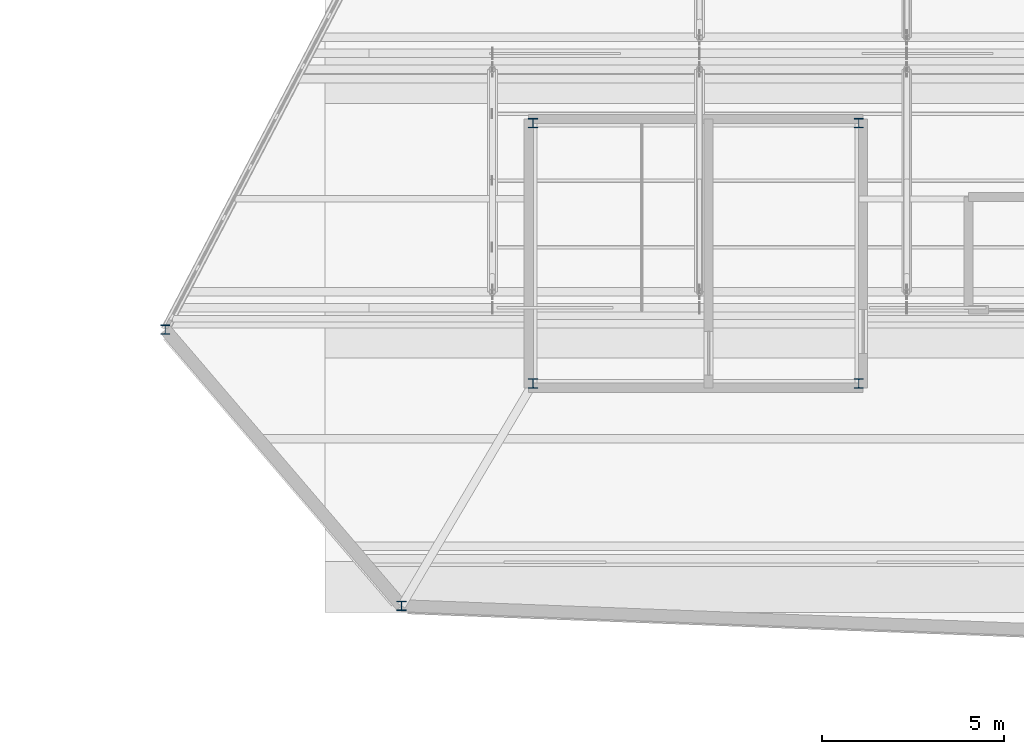
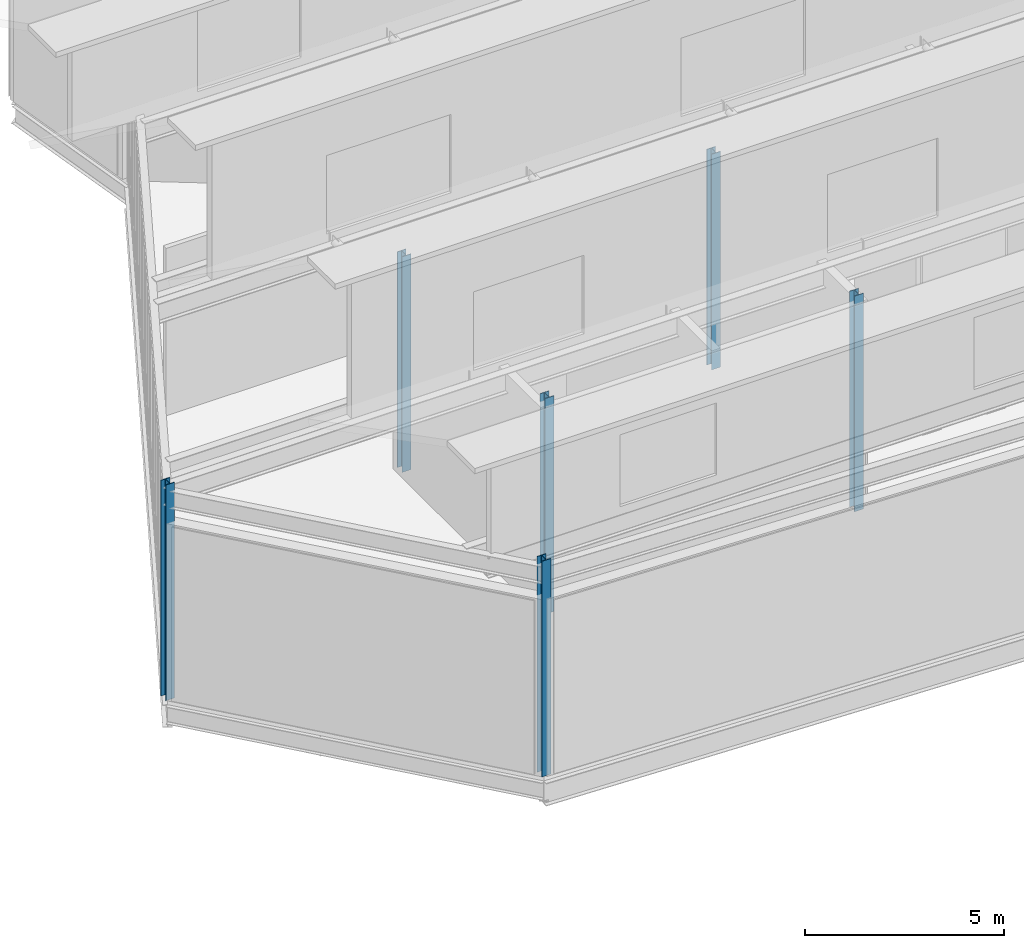
# One storey, part 1 of 55: 6 columns.
"""IFC4 building model written with IfcOpenShell, lengths in metres."""

from ifc_helpers import new_model, si_unit, direction, frame, origin, origin_2d, place, context, subcontext, project, spatial, i_section, extrude, material, material_profile, profile_set, type_object, element, save


model = new_model("IFC4")

# Units and contexts
model_context = context("Model", 3, precision=1e-05, world=origin(), true_north=direction((0.0, 1.0)))
body_context = subcontext(model_context, "Body", "Model", "MODEL_VIEW")
ifc_project = project(units=[si_unit("LENGTHUNIT", "METRE"), si_unit("AREAUNIT", "SQUARE_METRE"), si_unit("VOLUMEUNIT", "CUBIC_METRE"), si_unit("PLANEANGLEUNIT", "RADIAN"), si_unit("MASSUNIT", "GRAM", prefix="KILO")], contexts=[model_context])

# Site, building, storey
site_placement = place(None, origin())
site = spatial("IfcSite", under=ifc_project, at=site_placement, CompositionType="ELEMENT")
building_placement = place(site_placement, origin())
building = spatial("IfcBuilding", under=site, at=building_placement, Name="Tameran Prism Museum", CompositionType="ELEMENT")
storey_placement = place(building_placement, frame((0.0, 0.0, 28.800048828125)))
storey = spatial("IfcBuildingStorey", under=building, at=storey_placement, Name="L05", CompositionType="ELEMENT", Elevation=28.800048828125)

# Columns
ifc_material = material(Name="Steel Grade 300PLUS (300 MPa)", Category="steel")
ifc_material_profile = material_profile(ifc_material, i_section(OverallWidth=0.256103515625, OverallDepth=0.260009765625, WebThickness=0.010498046875, FlangeThickness=0.017333984375, FilletRadius=0.0126953125, at=origin_2d()))
ifc_profile_set = profile_set([ifc_material_profile])
column_type = type_object("IfcColumnType", Name="COL-UC250A", PredefinedType="COLUMN", material=ifc_profile_set)
for number, where, z_axis, x_axis, name in (
    (1, (92.89990234375, 78.89990234375, 0.0), (0.0, 0.0, 1.0), (1.0, 0.0, 0.0), "Column CV-37 L05"),
    (2, (99.39990234375, 71.300048828125, 0.0), (0.0, 0.0, 1.0), (1.0, 0.0, 0.0), "Column CV-40 L05"),
    (3, (103.02001953125, 77.419921875, 0.0), (0.0, 0.0, 1.0), (1.0, 0.0, 0.0), "Column CC-1-1 L05"),
    (4, (111.97998046875, 77.419921875, 0.0), (0.0, 0.0, 1.0), (1.0, 0.0, 0.0), "Column CC-1-2 L05"),
    (5, (111.97998046875, 84.580078125, 0.0), (0.0, 0.0, 1.0), (1.0, 0.0, 0.0), "Column CC-1-3 L05"),
    (6, (103.02001953125, 84.580078125, 0.0), (0.0, 0.0, 1.0), (1.0, 0.0, 0.0), "Column CC-1-4 L05"),
):
    element("IfcColumn", number, at=place(storey_placement, frame(where, z_axis=z_axis, x_axis=x_axis)), inside=storey, type_object=column_type, Name=name, PredefinedType="COLUMN", context=body_context, shape_type="SweptSolid", body=[
        extrude(i_section(OverallWidth=0.256103515625, OverallDepth=0.260009765625, WebThickness=0.010498046875, FlangeThickness=0.017333984375, FilletRadius=0.0126953125, at=origin_2d()), origin(), (0.0, 0.0, 1.0), 6.599853515625),
    ])

save(model, "model.ifc")
